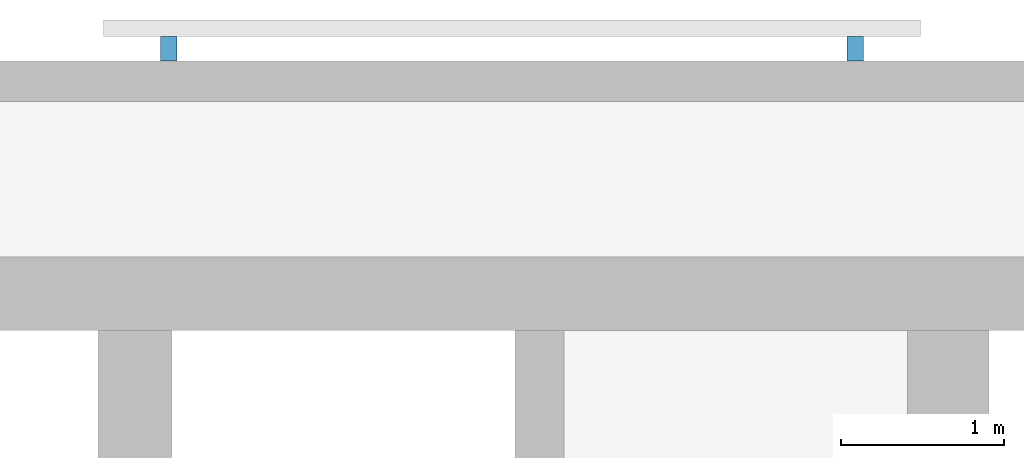
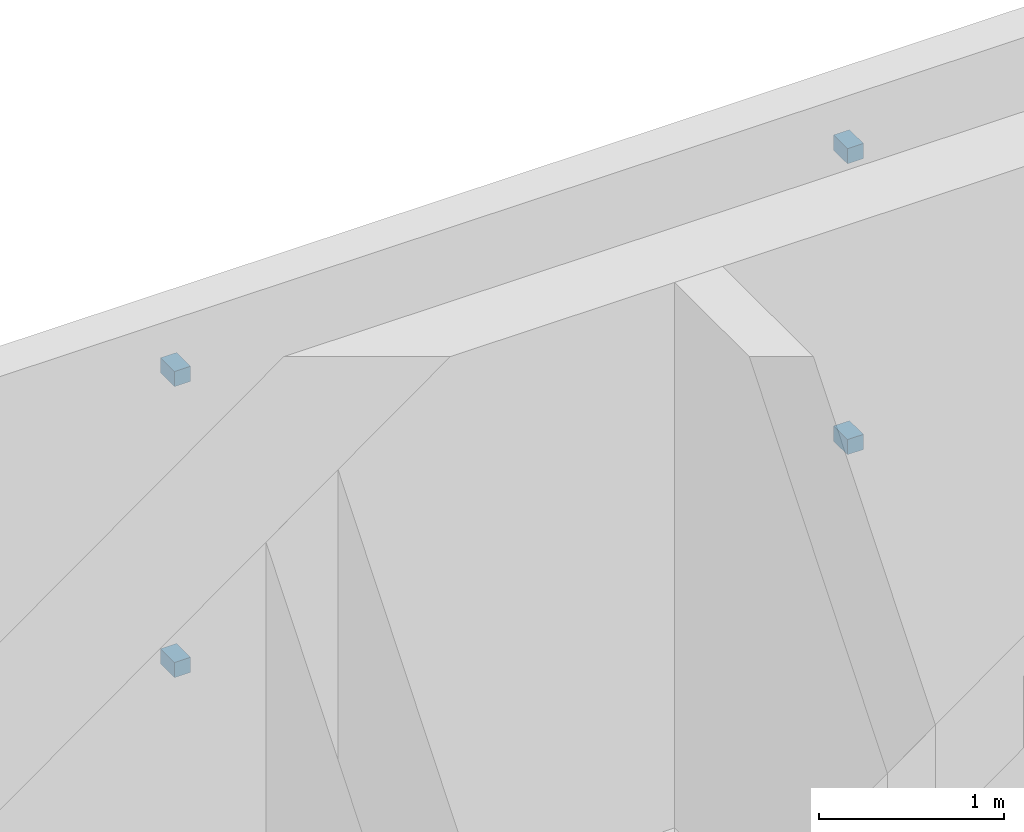
# One storey, part 12 of 15: 4 discrete accessories.
"""IFC4 building model written with IfcOpenShell, lengths in metres."""

from ifc_helpers import new_model, si_unit, direction, frame, origin, origin_2d, place, context, subcontext, project, spatial, rectangle, extrude, material, type_object, element, save


model = new_model("IFC4")

# Units and contexts
model_context = context("Model", 3, precision=1e-05, world=origin(), true_north=direction((0.0, 1.0)))
body_context = subcontext(model_context, "Body", "Model", "MODEL_VIEW")
ifc_project = project(units=[si_unit("LENGTHUNIT", "METRE"), si_unit("AREAUNIT", "SQUARE_METRE"), si_unit("VOLUMEUNIT", "CUBIC_METRE"), si_unit("PLANEANGLEUNIT", "RADIAN"), si_unit("MASSUNIT", "GRAM", prefix="KILO")], contexts=[model_context])

# Site, building, storey
site_placement = place(None, origin())
site = spatial("IfcSite", under=ifc_project, at=site_placement, CompositionType="ELEMENT")
building_placement = place(site_placement, origin())
building = spatial("IfcBuilding", under=site, at=building_placement, Name="Torana Hotel and Residences", CompositionType="ELEMENT")
storey_placement = place(building_placement, frame((0.0, 0.0, 88.800048828125)))
storey = spatial("IfcBuildingStorey", under=building, at=storey_placement, Name="L22", CompositionType="ELEMENT", Elevation=88.800048828125)

# Discrete accessories
ifc_material = material(Name="Steel S355", Category="steel")
discrete_accessory_type = type_object("IfcDiscreteAccessoryType", Name="SCREEN BRACKET 100", PredefinedType="BRACKET", material=ifc_material)
for number, where, z_axis, x_axis, name in (
    (1, (23.681396484375, 1.27490234375, 0.75), (0.0, 0.0, 1.0), (-1.0, 0.0, 0.0), "Screen bracket L22"),
    (2, (23.681396484375, 1.27490234375, 2.669921875), (0.0, 0.0, 1.0), (-1.0, 0.0, 0.0), "Screen bracket L22"),
    (3, (19.4814453125, 1.27490234375, 0.75), (0.0, 0.0, 1.0), (-1.0, 0.0, 0.0), "Screen bracket L22"),
    (4, (19.4814453125, 1.27490234375, 2.669921875), (0.0, 0.0, 1.0), (-1.0, 0.0, 0.0), "Screen bracket L22"),
):
    element("IfcDiscreteAccessory", number, at=place(storey_placement, frame(where, z_axis=z_axis, x_axis=x_axis)), inside=storey, type_object=discrete_accessory_type, Name=name, PredefinedType="BRACKET", context=body_context, shape_type="SweptSolid", body=[
        extrude(rectangle(XDim=0.10009765625, YDim=0.14990234375, at=origin_2d()), origin(), (0.0, 0.0, 1.0), 0.10009765625),
    ])

save(model, "model.ifc")
